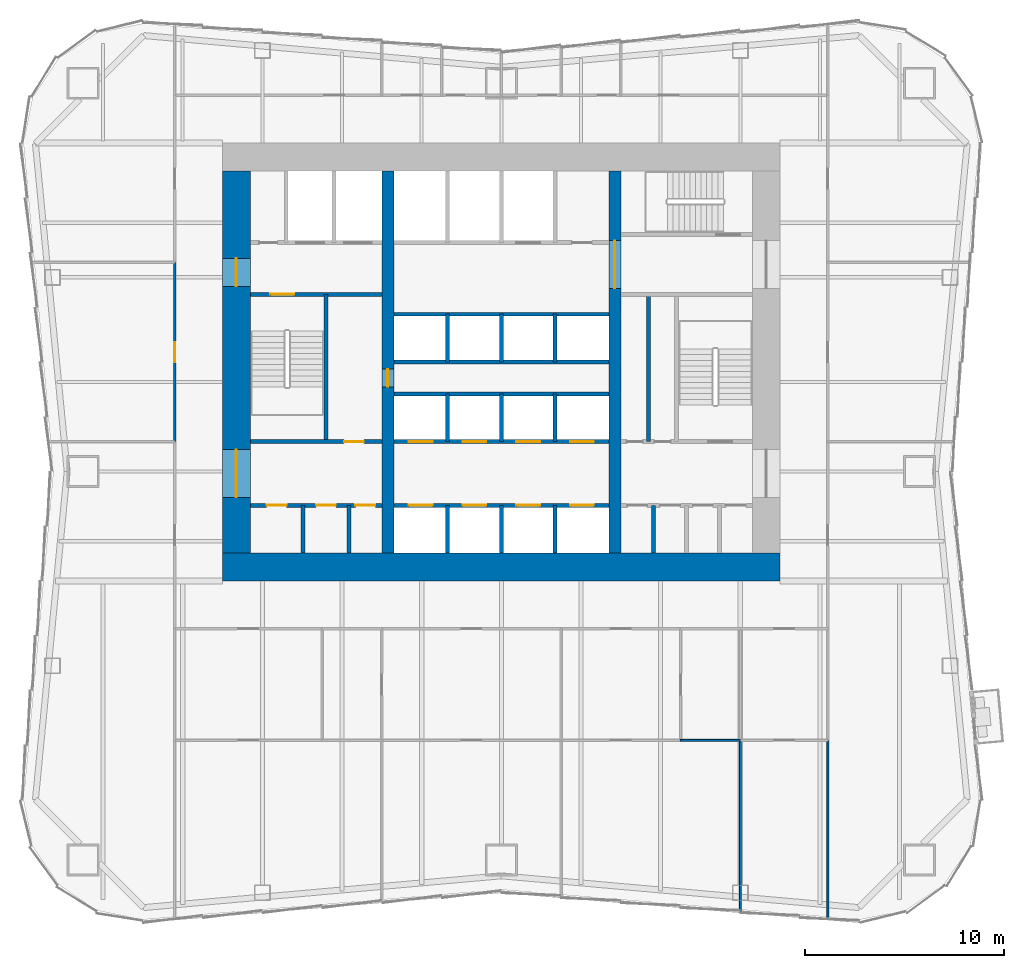
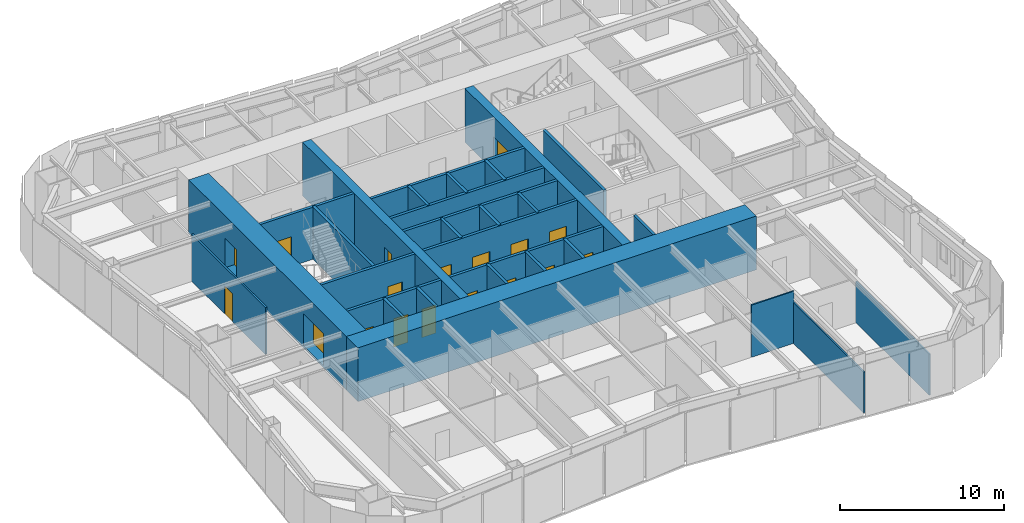
# One storey, part 4 of 8: 30 walls, 18 doors, 18 openings.
"""IFC4 building model written with IfcOpenShell, lengths in metres."""

from ifc_helpers import new_model, si_unit, direction, frame, frame_2d, origin, place, context, subcontext, project, spatial, rectangle, extrude, material, layer, layer_set, type_object, element, fill, save


model = new_model("IFC4")

# Units and contexts
model_context = context("Model", 3, precision=1e-05, world=origin(), true_north=direction((0.0, 1.0)))
body_context = subcontext(model_context, "Body", "Model", "MODEL_VIEW")
ifc_project = project(units=[si_unit("LENGTHUNIT", "METRE"), si_unit("AREAUNIT", "SQUARE_METRE"), si_unit("VOLUMEUNIT", "CUBIC_METRE"), si_unit("PLANEANGLEUNIT", "RADIAN"), si_unit("MASSUNIT", "GRAM", prefix="KILO")], contexts=[model_context])

# Site, building, storey
site_placement = place(None, origin())
site = spatial("IfcSite", under=ifc_project, at=site_placement, CompositionType="ELEMENT")
building_placement = place(site_placement, origin())
building = spatial("IfcBuilding", under=site, at=building_placement, Name="Verdant Reach Tower", CompositionType="ELEMENT")
storey_placement = place(building_placement, frame((0.0, 0.0, 42.0)))
storey = spatial("IfcBuildingStorey", under=building, at=storey_placement, Name="L09", CompositionType="ELEMENT", Elevation=42.0)

# Wall, openings, doors
ifc_material_1 = material(Name="Gypsum board on steel studs", Category="steel")
ifc_layer_1 = layer(ifc_material_1, 0.199951171875)
ifc_layer_set_1 = layer_set([ifc_layer_1], Name="CO-WALL-ROOM")
wall_type_1 = type_object("IfcWallType", Name="CO-WALL-ROOM", PredefinedType="PARTITIONING", material=ifc_layer_set_1)
wall_1_placement = place(storey_placement, frame((-12.60009765625, 20.800048828125, 0.0), z_axis=(0.0, 0.0, 1.0), x_axis=(1.0, 0.0, 0.0)))
wall_1 = element("IfcWall", 1, at=wall_1_placement, inside=storey, type_object=wall_type_1, Name="Core partition, L09", PredefinedType="PARTITIONING", context=body_context, shape_type="SweptSolid", body=[
    extrude(rectangle(XDim=6.60009765625, YDim=0.199951171875, at=frame_2d((3.300048828125, 0.0))), origin(), (0.0, 0.0, 1.0), 3.8701171875),
])
opening_1_placement = place(wall_1_placement, frame((0.820068359375, 0.0, 0.0)))
opening_1 = element("IfcOpeningElement", 2, at=opening_1_placement, cuts=wall_1, Name="Opening CD", PredefinedType="OPENING", context=body_context, shape_type="SweptSolid", body=[
    extrude(rectangle(XDim=1.0, YDim=2.10009765625, at=frame_2d((0.5, 1.050048828125))), frame((0.0, 0.10986328125, 0.0), z_axis=(0.0, -1.0, 0.0), x_axis=(1.0, 0.0, 0.0)), (0.0, 0.0, 1.0), 0.219970703125),
])
opening_2_placement = place(wall_1_placement, frame((3.294921875, 0.0, 0.0)))
opening_2 = element("IfcOpeningElement", 3, at=opening_2_placement, cuts=wall_1, Name="Opening CD", PredefinedType="OPENING", context=body_context, shape_type="SweptSolid", body=[
    extrude(rectangle(XDim=1.0, YDim=2.10009765625, at=frame_2d((0.5, 1.050048828125))), frame((0.0, 0.10986328125, 0.0), z_axis=(0.0, -1.0, 0.0), x_axis=(1.0, 0.0, 0.0)), (0.0, 0.0, 1.0), 0.219970703125),
])
opening_3_placement = place(wall_1_placement, frame((5.27490234375, 0.0, 0.0)))
opening_3 = element("IfcOpeningElement", 4, at=opening_3_placement, cuts=wall_1, Name="Opening CD", PredefinedType="OPENING", context=body_context, shape_type="SweptSolid", body=[
    extrude(rectangle(XDim=1.0, YDim=2.10009765625, at=frame_2d((0.5, 1.050048828125))), frame((0.0, 0.10986328125, 0.0), z_axis=(0.0, -1.0, 0.0), x_axis=(1.0, 0.0, 0.0)), (0.0, 0.0, 1.0), 0.219970703125),
])
ifc_material_2 = material(Name="Timber", Category="wood")
door_type_1 = type_object("IfcDoorType", Name="CO-DOOR-ROOM", OperationType="NOTDEFINED", PredefinedType="DOOR", material=ifc_material_2)
door_1_placement = place(opening_1_placement, origin())
door_1 = element("IfcDoor", 5, at=door_1_placement, inside=storey, type_object=door_type_1, Name="Core room door, L09", OperationType="SINGLE_SWING_LEFT", OverallHeight=2.10009765625, OverallWidth=1.0, PredefinedType="DOOR", context=body_context, shape_type="SweptSolid", body=[
    extrude(rectangle(XDim=1.0, YDim=2.10009765625, at=frame_2d((0.5, 1.050048828125))), frame((0.0, 0.02490234375, 0.0), z_axis=(0.0, -1.0, 0.0), x_axis=(1.0, 0.0, 0.0)), (0.0, 0.0, 1.0), 0.050048828125),
])
fill(opening_1, door_1)
door_2_placement = place(opening_2_placement, origin())
door_2 = element("IfcDoor", 6, at=door_2_placement, inside=storey, type_object=door_type_1, Name="Core room door, L09", OperationType="SINGLE_SWING_LEFT", OverallHeight=2.10009765625, OverallWidth=1.0, PredefinedType="DOOR", context=body_context, shape_type="SweptSolid", body=[
    extrude(rectangle(XDim=1.0, YDim=2.10009765625, at=frame_2d((0.5, 1.050048828125))), frame((0.0, 0.02490234375, 0.0), z_axis=(0.0, -1.0, 0.0), x_axis=(1.0, 0.0, 0.0)), (0.0, 0.0, 1.0), 0.050048828125),
])
fill(opening_2, door_2)
door_3_placement = place(opening_3_placement, origin())
door_3 = element("IfcDoor", 7, at=door_3_placement, inside=storey, type_object=door_type_1, Name="Core room door, L09", OperationType="SINGLE_SWING_RIGHT", OverallHeight=2.10009765625, OverallWidth=1.0, PredefinedType="DOOR", context=body_context, shape_type="SweptSolid", body=[
    extrude(rectangle(XDim=1.0, YDim=2.10009765625, at=frame_2d((0.5, 1.050048828125))), frame((0.0, 0.02490234375, 0.0), z_axis=(0.0, -1.0, 0.0), x_axis=(1.0, 0.0, 0.0)), (0.0, 0.0, 1.0), 0.050048828125),
])
fill(opening_3, door_3)

# Walls
for number, where, z_axis, x_axis, name in (
    (8, (-9.9599609375, 18.39990234375, 0.0), (0.0, 0.0, 1.0), (0.0, 1.0, 0.0), "Core partition, L09"),
    (9, (-7.64990234375, 18.39990234375, 0.0), (0.0, 0.0, 1.0), (0.0, 1.0, 0.0), "Core partition, L09"),
):
    element("IfcWall", number, at=place(storey_placement, frame(where, z_axis=z_axis, x_axis=x_axis)), inside=storey, type_object=wall_type_1, Name=name, PredefinedType="PARTITIONING", context=body_context, shape_type="SweptSolid", body=[
        extrude(rectangle(XDim=2.400146484375, YDim=0.199951171875, at=frame_2d((1.2001953125, 0.0))), origin(), (0.0, 0.0, 1.0), 3.8701171875),
    ])
wall_2_placement = place(storey_placement, frame((7.39990234375, 24.0, 0.0), z_axis=(0.0, 0.0, 1.0), x_axis=(0.0, 1.0, 0.0)))
element("IfcWall", 10, at=wall_2_placement, inside=storey, type_object=wall_type_1, Name="Core partition, L09", PredefinedType="PARTITIONING", context=body_context, shape_type="SweptSolid", body=[
    extrude(rectangle(XDim=7.39990234375, YDim=0.199951171875, at=frame_2d((3.699951171875, 0.0))), origin(), (0.0, 0.0, 1.0), 3.8701171875),
])
wall_3_placement = place(storey_placement, frame((7.64990234375, 18.39990234375, 0.0), z_axis=(0.0, 0.0, 1.0), x_axis=(0.0, 1.0, 0.0)))
element("IfcWall", 11, at=wall_3_placement, inside=storey, type_object=wall_type_1, Name="Core partition, L09", PredefinedType="PARTITIONING", context=body_context, shape_type="SweptSolid", body=[
    extrude(rectangle(XDim=2.400146484375, YDim=0.199951171875, at=frame_2d((1.2001953125, 0.0))), origin(), (0.0, 0.0, 1.0), 3.8701171875),
])

# Wall, openings, doors
ifc_material_3 = material(Name="Concrete C40/50", Category="concrete")
ifc_layer_2 = layer(ifc_material_3, 0.199951171875)
ifc_layer_set_2 = layer_set([ifc_layer_2], Name="CO-WALL-SHAFT")
wall_type_2 = type_object("IfcWallType", Name="CO-WALL-SHAFT", PredefinedType="PARTITIONING", material=ifc_layer_set_2)
wall_4_placement = place(storey_placement, frame((-5.39990234375, 20.800048828125, 0.0), z_axis=(0.0, 0.0, 1.0), x_axis=(1.0, 0.0, 0.0)))
wall_4 = element("IfcWall", 12, at=wall_4_placement, inside=storey, type_object=wall_type_2, Name="Lift shaft wall, L09", PredefinedType="PARTITIONING", context=body_context, shape_type="SweptSolid", body=[
    extrude(rectangle(XDim=10.7998046875, YDim=0.199951171875, at=frame_2d((5.39990234375, 0.0))), origin(), (0.0, 0.0, 1.0), 3.8701171875),
])
opening_4_placement = place(wall_4_placement, frame((0.75, 0.0, 0.0)))
opening_4 = element("IfcOpeningElement", 13, at=opening_4_placement, cuts=wall_4, Name="Opening LD-A1", PredefinedType="OPENING", context=body_context, shape_type="SweptSolid", body=[
    extrude(rectangle(XDim=1.199951171875, YDim=2.199951171875, at=frame_2d((0.60009765625, 1.10009765625))), frame((0.0, 0.10986328125, 0.0), z_axis=(0.0, -1.0, 0.0), x_axis=(1.0, 0.0, 0.0)), (0.0, 0.0, 1.0), 0.219970703125),
])
opening_5_placement = place(wall_4_placement, frame((3.449951171875, 0.0, 0.0)))
opening_5 = element("IfcOpeningElement", 14, at=opening_5_placement, cuts=wall_4, Name="Opening LD-A2", PredefinedType="OPENING", context=body_context, shape_type="SweptSolid", body=[
    extrude(rectangle(XDim=1.199951171875, YDim=2.199951171875, at=frame_2d((0.60009765625, 1.10009765625))), frame((0.0, 0.10986328125, 0.0), z_axis=(0.0, -1.0, 0.0), x_axis=(1.0, 0.0, 0.0)), (0.0, 0.0, 1.0), 0.219970703125),
])
opening_6_placement = place(wall_4_placement, frame((6.14990234375, 0.0, 0.0)))
opening_6 = element("IfcOpeningElement", 15, at=opening_6_placement, cuts=wall_4, Name="Opening LD-A3", PredefinedType="OPENING", context=body_context, shape_type="SweptSolid", body=[
    extrude(rectangle(XDim=1.199951171875, YDim=2.199951171875, at=frame_2d((0.60009765625, 1.10009765625))), frame((0.0, 0.10986328125, 0.0), z_axis=(0.0, -1.0, 0.0), x_axis=(1.0, 0.0, 0.0)), (0.0, 0.0, 1.0), 0.219970703125),
])
opening_7_placement = place(wall_4_placement, frame((8.85009765625, 0.0, 0.0)))
opening_7 = element("IfcOpeningElement", 16, at=opening_7_placement, cuts=wall_4, Name="Opening LD-A4", PredefinedType="OPENING", context=body_context, shape_type="SweptSolid", body=[
    extrude(rectangle(XDim=1.199951171875, YDim=2.199951171875, at=frame_2d((0.60009765625, 1.10009765625))), frame((0.0, 0.10986328125, 0.0), z_axis=(0.0, -1.0, 0.0), x_axis=(1.0, 0.0, 0.0)), (0.0, 0.0, 1.0), 0.219970703125),
])
ifc_material_4 = material(Name="Stainless steel", Category="steel")
door_type_2 = type_object("IfcDoorType", Name="CO-DOOR-LANDING", OperationType="SLIDING_TO_LEFT", PredefinedType="DOOR", material=ifc_material_4)
door_4_placement = place(opening_4_placement, origin())
door_4 = element("IfcDoor", 17, at=door_4_placement, inside=storey, type_object=door_type_2, Name="Landing door A1, L09", OperationType="SLIDING_TO_LEFT", OverallHeight=2.199951171875, OverallWidth=1.199951171875, PredefinedType="DOOR", context=body_context, shape_type="SweptSolid", body=[
    extrude(rectangle(XDim=1.199951171875, YDim=2.199951171875, at=frame_2d((0.60009765625, 1.10009765625))), frame((0.0, 0.02490234375, 0.0), z_axis=(0.0, -1.0, 0.0), x_axis=(1.0, 0.0, 0.0)), (0.0, 0.0, 1.0), 0.050048828125),
])
fill(opening_4, door_4)
door_5_placement = place(opening_5_placement, origin())
door_5 = element("IfcDoor", 18, at=door_5_placement, inside=storey, type_object=door_type_2, Name="Landing door A2, L09", OperationType="SLIDING_TO_LEFT", OverallHeight=2.199951171875, OverallWidth=1.199951171875, PredefinedType="DOOR", context=body_context, shape_type="SweptSolid", body=[
    extrude(rectangle(XDim=1.199951171875, YDim=2.199951171875, at=frame_2d((0.60009765625, 1.10009765625))), frame((0.0, 0.02490234375, 0.0), z_axis=(0.0, -1.0, 0.0), x_axis=(1.0, 0.0, 0.0)), (0.0, 0.0, 1.0), 0.050048828125),
])
fill(opening_5, door_5)
door_6_placement = place(opening_6_placement, origin())
door_6 = element("IfcDoor", 19, at=door_6_placement, inside=storey, type_object=door_type_2, Name="Landing door A3, L09", OperationType="SLIDING_TO_LEFT", OverallHeight=2.199951171875, OverallWidth=1.199951171875, PredefinedType="DOOR", context=body_context, shape_type="SweptSolid", body=[
    extrude(rectangle(XDim=1.199951171875, YDim=2.199951171875, at=frame_2d((0.60009765625, 1.10009765625))), frame((0.0, 0.02490234375, 0.0), z_axis=(0.0, -1.0, 0.0), x_axis=(1.0, 0.0, 0.0)), (0.0, 0.0, 1.0), 0.050048828125),
])
fill(opening_6, door_6)
door_7_placement = place(opening_7_placement, origin())
door_7 = element("IfcDoor", 20, at=door_7_placement, inside=storey, type_object=door_type_2, Name="Landing door A4, L09", OperationType="SLIDING_TO_LEFT", OverallHeight=2.199951171875, OverallWidth=1.199951171875, PredefinedType="DOOR", context=body_context, shape_type="SweptSolid", body=[
    extrude(rectangle(XDim=1.199951171875, YDim=2.199951171875, at=frame_2d((0.60009765625, 1.10009765625))), frame((0.0, 0.02490234375, 0.0), z_axis=(0.0, -1.0, 0.0), x_axis=(1.0, 0.0, 0.0)), (0.0, 0.0, 1.0), 0.050048828125),
])
fill(opening_7, door_7)

wall_5_placement = place(storey_placement, frame((-5.39990234375, 24.0, 0.0), z_axis=(0.0, 0.0, 1.0), x_axis=(1.0, 0.0, 0.0)))
wall_5 = element("IfcWall", 21, at=wall_5_placement, inside=storey, type_object=wall_type_2, Name="Lift shaft wall, L09", PredefinedType="PARTITIONING", context=body_context, shape_type="SweptSolid", body=[
    extrude(rectangle(XDim=10.7998046875, YDim=0.199951171875, at=frame_2d((5.39990234375, 0.0))), origin(), (0.0, 0.0, 1.0), 3.8701171875),
])
opening_8_placement = place(wall_5_placement, frame((0.75, 0.0, 0.0)))
opening_8 = element("IfcOpeningElement", 22, at=opening_8_placement, cuts=wall_5, Name="Opening LD-A5", PredefinedType="OPENING", context=body_context, shape_type="SweptSolid", body=[
    extrude(rectangle(XDim=1.199951171875, YDim=2.199951171875, at=frame_2d((0.60009765625, 1.10009765625))), frame((0.0, 0.10986328125, 0.0), z_axis=(0.0, -1.0, 0.0), x_axis=(1.0, 0.0, 0.0)), (0.0, 0.0, 1.0), 0.219970703125),
])
opening_9_placement = place(wall_5_placement, frame((3.449951171875, 0.0, 0.0)))
opening_9 = element("IfcOpeningElement", 23, at=opening_9_placement, cuts=wall_5, Name="Opening LD-A6", PredefinedType="OPENING", context=body_context, shape_type="SweptSolid", body=[
    extrude(rectangle(XDim=1.199951171875, YDim=2.199951171875, at=frame_2d((0.60009765625, 1.10009765625))), frame((0.0, 0.10986328125, 0.0), z_axis=(0.0, -1.0, 0.0), x_axis=(1.0, 0.0, 0.0)), (0.0, 0.0, 1.0), 0.219970703125),
])
opening_10_placement = place(wall_5_placement, frame((6.14990234375, 0.0, 0.0)))
opening_10 = element("IfcOpeningElement", 24, at=opening_10_placement, cuts=wall_5, Name="Opening LD-A7", PredefinedType="OPENING", context=body_context, shape_type="SweptSolid", body=[
    extrude(rectangle(XDim=1.199951171875, YDim=2.199951171875, at=frame_2d((0.60009765625, 1.10009765625))), frame((0.0, 0.10986328125, 0.0), z_axis=(0.0, -1.0, 0.0), x_axis=(1.0, 0.0, 0.0)), (0.0, 0.0, 1.0), 0.219970703125),
])
opening_11_placement = place(wall_5_placement, frame((8.85009765625, 0.0, 0.0)))
opening_11 = element("IfcOpeningElement", 25, at=opening_11_placement, cuts=wall_5, Name="Opening LD-A8", PredefinedType="OPENING", context=body_context, shape_type="SweptSolid", body=[
    extrude(rectangle(XDim=1.199951171875, YDim=2.199951171875, at=frame_2d((0.60009765625, 1.10009765625))), frame((0.0, 0.10986328125, 0.0), z_axis=(0.0, -1.0, 0.0), x_axis=(1.0, 0.0, 0.0)), (0.0, 0.0, 1.0), 0.219970703125),
])
door_8_placement = place(opening_8_placement, origin())
door_8 = element("IfcDoor", 26, at=door_8_placement, inside=storey, type_object=door_type_2, Name="Landing door A5, L09", OperationType="SLIDING_TO_LEFT", OverallHeight=2.199951171875, OverallWidth=1.199951171875, PredefinedType="DOOR", context=body_context, shape_type="SweptSolid", body=[
    extrude(rectangle(XDim=1.199951171875, YDim=2.199951171875, at=frame_2d((0.60009765625, 1.10009765625))), frame((0.0, 0.02490234375, 0.0), z_axis=(0.0, -1.0, 0.0), x_axis=(1.0, 0.0, 0.0)), (0.0, 0.0, 1.0), 0.050048828125),
])
fill(opening_8, door_8)
door_9_placement = place(opening_9_placement, origin())
door_9 = element("IfcDoor", 27, at=door_9_placement, inside=storey, type_object=door_type_2, Name="Landing door A6, L09", OperationType="SLIDING_TO_LEFT", OverallHeight=2.199951171875, OverallWidth=1.199951171875, PredefinedType="DOOR", context=body_context, shape_type="SweptSolid", body=[
    extrude(rectangle(XDim=1.199951171875, YDim=2.199951171875, at=frame_2d((0.60009765625, 1.10009765625))), frame((0.0, 0.02490234375, 0.0), z_axis=(0.0, -1.0, 0.0), x_axis=(1.0, 0.0, 0.0)), (0.0, 0.0, 1.0), 0.050048828125),
])
fill(opening_9, door_9)
door_10_placement = place(opening_10_placement, origin())
door_10 = element("IfcDoor", 28, at=door_10_placement, inside=storey, type_object=door_type_2, Name="Landing door A7, L09", OperationType="SLIDING_TO_LEFT", OverallHeight=2.199951171875, OverallWidth=1.199951171875, PredefinedType="DOOR", context=body_context, shape_type="SweptSolid", body=[
    extrude(rectangle(XDim=1.199951171875, YDim=2.199951171875, at=frame_2d((0.60009765625, 1.10009765625))), frame((0.0, 0.02490234375, 0.0), z_axis=(0.0, -1.0, 0.0), x_axis=(1.0, 0.0, 0.0)), (0.0, 0.0, 1.0), 0.050048828125),
])
fill(opening_10, door_10)
door_11_placement = place(opening_11_placement, origin())
door_11 = element("IfcDoor", 29, at=door_11_placement, inside=storey, type_object=door_type_2, Name="Landing door A8, L09", OperationType="SLIDING_TO_LEFT", OverallHeight=2.199951171875, OverallWidth=1.199951171875, PredefinedType="DOOR", context=body_context, shape_type="SweptSolid", body=[
    extrude(rectangle(XDim=1.199951171875, YDim=2.199951171875, at=frame_2d((0.60009765625, 1.10009765625))), frame((0.0, 0.02490234375, 0.0), z_axis=(0.0, -1.0, 0.0), x_axis=(1.0, 0.0, 0.0)), (0.0, 0.0, 1.0), 0.050048828125),
])
fill(opening_11, door_11)

# Walls
for number, where, z_axis, x_axis, name in (
    (30, (-5.39990234375, 26.39990234375, 0.0), (0.0, 0.0, 1.0), (1.0, 0.0, 0.0), "Lift shaft wall, L09"),
    (31, (-5.39990234375, 28.0, 0.0), (0.0, 0.0, 1.0), (1.0, 0.0, 0.0), "Lift shaft wall, L09"),
    (32, (-5.39990234375, 30.39990234375, 0.0), (0.0, 0.0, 1.0), (1.0, 0.0, 0.0), "Lift shaft wall, L09"),
):
    element("IfcWall", number, at=place(storey_placement, frame(where, z_axis=z_axis, x_axis=x_axis)), inside=storey, type_object=wall_type_2, Name=name, PredefinedType="PARTITIONING", context=body_context, shape_type="SweptSolid", body=[
        extrude(rectangle(XDim=10.7998046875, YDim=0.199951171875, at=frame_2d((5.39990234375, 0.0))), origin(), (0.0, 0.0, 1.0), 3.8701171875),
    ])
wall_6_placement = place(storey_placement, frame((-2.699951171875, 18.39990234375, 0.0), z_axis=(0.0, 0.0, 1.0), x_axis=(0.0, 1.0, 0.0)))
element("IfcWall", 33, at=wall_6_placement, inside=storey, type_object=wall_type_2, Name="Lift shaft wall, L09", PredefinedType="PARTITIONING", context=body_context, shape_type="SweptSolid", body=[
    extrude(rectangle(XDim=2.400146484375, YDim=0.199951171875, at=frame_2d((1.2001953125, 0.0))), origin(), (0.0, 0.0, 1.0), 3.8701171875),
])
for number, where, z_axis, x_axis, name in (
    (34, (-2.699951171875, 24.0, 0.0), (0.0, 0.0, 1.0), (0.0, 1.0, 0.0), "Lift shaft wall, L09"),
    (35, (-2.699951171875, 28.0, 0.0), (0.0, 0.0, 1.0), (0.0, 1.0, 0.0), "Lift shaft wall, L09"),
):
    element("IfcWall", number, at=place(storey_placement, frame(where, z_axis=z_axis, x_axis=x_axis)), inside=storey, type_object=wall_type_2, Name=name, PredefinedType="PARTITIONING", context=body_context, shape_type="SweptSolid", body=[
        extrude(rectangle(XDim=2.39990234375, YDim=0.199951171875, at=frame_2d((1.199951171875, 0.0))), origin(), (0.0, 0.0, 1.0), 3.8701171875),
    ])
wall_7_placement = place(storey_placement, frame((0.0, 18.39990234375, 0.0), z_axis=(0.0, 0.0, 1.0), x_axis=(0.0, 1.0, 0.0)))
element("IfcWall", 36, at=wall_7_placement, inside=storey, type_object=wall_type_2, Name="Lift shaft wall, L09", PredefinedType="PARTITIONING", context=body_context, shape_type="SweptSolid", body=[
    extrude(rectangle(XDim=2.400146484375, YDim=0.199951171875, at=frame_2d((1.2001953125, 0.0))), origin(), (0.0, 0.0, 1.0), 3.8701171875),
])
for number, where, z_axis, x_axis, name in (
    (37, (0.0, 24.0, 0.0), (0.0, 0.0, 1.0), (0.0, 1.0, 0.0), "Lift shaft wall, L09"),
    (38, (0.0, 28.0, 0.0), (0.0, 0.0, 1.0), (0.0, 1.0, 0.0), "Lift shaft wall, L09"),
):
    element("IfcWall", number, at=place(storey_placement, frame(where, z_axis=z_axis, x_axis=x_axis)), inside=storey, type_object=wall_type_2, Name=name, PredefinedType="PARTITIONING", context=body_context, shape_type="SweptSolid", body=[
        extrude(rectangle(XDim=2.39990234375, YDim=0.199951171875, at=frame_2d((1.199951171875, 0.0))), origin(), (0.0, 0.0, 1.0), 3.8701171875),
    ])
wall_8_placement = place(storey_placement, frame((2.699951171875, 18.39990234375, 0.0), z_axis=(0.0, 0.0, 1.0), x_axis=(0.0, 1.0, 0.0)))
element("IfcWall", 39, at=wall_8_placement, inside=storey, type_object=wall_type_2, Name="Lift shaft wall, L09", PredefinedType="PARTITIONING", context=body_context, shape_type="SweptSolid", body=[
    extrude(rectangle(XDim=2.400146484375, YDim=0.199951171875, at=frame_2d((1.2001953125, 0.0))), origin(), (0.0, 0.0, 1.0), 3.8701171875),
])
for number, where, z_axis, x_axis, name in (
    (40, (2.699951171875, 24.0, 0.0), (0.0, 0.0, 1.0), (0.0, 1.0, 0.0), "Lift shaft wall, L09"),
    (41, (2.699951171875, 28.0, 0.0), (0.0, 0.0, 1.0), (0.0, 1.0, 0.0), "Lift shaft wall, L09"),
):
    element("IfcWall", number, at=place(storey_placement, frame(where, z_axis=z_axis, x_axis=x_axis)), inside=storey, type_object=wall_type_2, Name=name, PredefinedType="PARTITIONING", context=body_context, shape_type="SweptSolid", body=[
        extrude(rectangle(XDim=2.39990234375, YDim=0.199951171875, at=frame_2d((1.199951171875, 0.0))), origin(), (0.0, 0.0, 1.0), 3.8701171875),
    ])

# Wall, opening, door
ifc_layer_3 = layer(ifc_material_3, 0.199951171875)
ifc_layer_set_3 = layer_set([ifc_layer_3], Name="CO-WALL-STAIR")
wall_type_3 = type_object("IfcWallType", Name="CO-WALL-STAIR", PredefinedType="PARTITIONING", material=ifc_layer_set_3)
wall_9_placement = place(storey_placement, frame((-12.60009765625, 24.0, 0.0), z_axis=(0.0, 0.0, 1.0), x_axis=(1.0, 0.0, 0.0)))
wall_9 = element("IfcWall", 42, at=wall_9_placement, inside=storey, type_object=wall_type_3, Name="Stair enclosure wall, L09", PredefinedType="PARTITIONING", context=body_context, shape_type="SweptSolid", body=[
    extrude(rectangle(XDim=6.60009765625, YDim=0.199951171875, at=frame_2d((3.300048828125, 0.0))), origin(), (0.0, 0.0, 1.0), 3.8701171875),
])
opening_12_placement = place(wall_9_placement, frame((4.699951171875, 0.0, 0.0)))
opening_12 = element("IfcOpeningElement", 43, at=opening_12_placement, cuts=wall_9, Name="Opening CD", PredefinedType="OPENING", context=body_context, shape_type="SweptSolid", body=[
    extrude(rectangle(XDim=1.0, YDim=2.10009765625, at=frame_2d((0.5, 1.050048828125))), frame((0.0, 0.10986328125, 0.0), z_axis=(0.0, -1.0, 0.0), x_axis=(1.0, 0.0, 0.0)), (0.0, 0.0, 1.0), 0.219970703125),
])
door_12_placement = place(opening_12_placement, origin())
door_12 = element("IfcDoor", 44, at=door_12_placement, inside=storey, type_object=door_type_1, Name="Core room door, L09", OperationType="SINGLE_SWING_LEFT", OverallHeight=2.10009765625, OverallWidth=1.0, PredefinedType="DOOR", context=body_context, shape_type="SweptSolid", body=[
    extrude(rectangle(XDim=1.0, YDim=2.10009765625, at=frame_2d((0.5, 1.050048828125))), frame((0.0, 0.02490234375, 0.0), z_axis=(0.0, -1.0, 0.0), x_axis=(1.0, 0.0, 0.0)), (0.0, 0.0, 1.0), 0.050048828125),
])
fill(opening_12, door_12)

wall_10_placement = place(storey_placement, frame((-12.60009765625, 31.39990234375, 0.0), z_axis=(0.0, 0.0, 1.0), x_axis=(1.0, 0.0, 0.0)))
wall_10 = element("IfcWall", 45, at=wall_10_placement, inside=storey, type_object=wall_type_3, Name="Stair enclosure wall, L09", PredefinedType="PARTITIONING", context=body_context, shape_type="SweptSolid", body=[
    extrude(rectangle(XDim=6.60009765625, YDim=0.199951171875, at=frame_2d((3.300048828125, 0.0))), origin(), (0.0, 0.0, 1.0), 3.8701171875),
])
opening_13_placement = place(wall_10_placement, frame((1.0, 0.0, 0.0)))
opening_13 = element("IfcOpeningElement", 46, at=opening_13_placement, cuts=wall_10, Name="Opening SD", PredefinedType="OPENING", context=body_context, shape_type="SweptSolid", body=[
    extrude(rectangle(XDim=1.199951171875, YDim=2.199951171875, at=frame_2d((0.60009765625, 1.10009765625))), frame((0.0, 0.10986328125, 0.0), z_axis=(0.0, -1.0, 0.0), x_axis=(1.0, 0.0, 0.0)), (0.0, 0.0, 1.0), 0.219970703125),
])
ifc_material_5 = material(Name="Steel", Category="steel")
door_type_3 = type_object("IfcDoorType", Name="CO-DOOR-STAIR", OperationType="NOTDEFINED", PredefinedType="DOOR", material=ifc_material_5)
door_13_placement = place(opening_13_placement, origin())
door_13 = element("IfcDoor", 47, at=door_13_placement, inside=storey, type_object=door_type_3, Name="Stair door, L09", OperationType="SINGLE_SWING_RIGHT", OverallHeight=2.199951171875, OverallWidth=1.199951171875, PredefinedType="DOOR", context=body_context, shape_type="SweptSolid", body=[
    extrude(rectangle(XDim=1.199951171875, YDim=2.199951171875, at=frame_2d((0.60009765625, 1.10009765625))), frame((0.0, 0.02490234375, 0.0), z_axis=(0.0, -1.0, 0.0), x_axis=(1.0, 0.0, 0.0)), (0.0, 0.0, 1.0), 0.050048828125),
])
fill(opening_13, door_13)

# Walls
wall_11_placement = place(storey_placement, frame((-8.800048828125, 24.0, 0.0), z_axis=(0.0, 0.0, 1.0), x_axis=(0.0, 1.0, 0.0)))
element("IfcWall", 48, at=wall_11_placement, inside=storey, type_object=wall_type_3, Name="Stair enclosure wall, L09", PredefinedType="PARTITIONING", context=body_context, shape_type="SweptSolid", body=[
    extrude(rectangle(XDim=7.39990234375, YDim=0.199951171875, at=frame_2d((3.699951171875, 0.0))), origin(), (0.0, 0.0, 1.0), 3.8701171875),
])
ifc_layer_4 = layer(ifc_material_1, 0.10009765625)
ifc_layer_set_4 = layer_set([ifc_layer_4], Name="FL-W1 Partition 100")
wall_type_4 = type_object("IfcWallType", Name="FL-W1 Partition 100", PredefinedType="PARTITIONING", material=ifc_layer_set_4)
wall_12_placement = place(storey_placement, frame((8.99609375, 9.0, 0.0), z_axis=(0.0, 0.0, 1.0), x_axis=(1.0, 0.0, 0.0)))
element("IfcWall", 49, at=wall_12_placement, inside=storey, type_object=wall_type_4, Name="Partition 09.32", PredefinedType="PARTITIONING", context=body_context, shape_type="SweptSolid", body=[
    extrude(rectangle(XDim=3.00390625, YDim=0.10009765625, at=frame_2d((1.501953125, 0.0))), origin(), (0.0, 0.0, 1.0), 3.8701171875),
])
wall_13_placement = place(storey_placement, frame((12.0, 0.419921875, 0.0), z_axis=(0.0, 0.0, 1.0), x_axis=(0.0, 1.0, 0.0)))
element("IfcWall", 50, at=wall_13_placement, inside=storey, type_object=wall_type_4, Name="Partition 09.35", PredefinedType="PARTITIONING", context=body_context, shape_type="SweptSolid", body=[
    extrude(rectangle(XDim=8.580078125, YDim=0.10009765625, at=frame_2d((4.2900390625, 0.0))), origin(), (0.0, 0.0, 1.0), 3.0400390625),
])
wall_14_placement = place(storey_placement, frame((16.39990234375, 0.05322265625, 0.0), z_axis=(0.0, 0.0, 1.0), x_axis=(0.0, 1.0, 0.0)))
element("IfcWall", 51, at=wall_14_placement, inside=storey, type_object=wall_type_4, Name="Partition 09.36", PredefinedType="PARTITIONING", context=body_context, shape_type="SweptSolid", body=[
    extrude(rectangle(XDim=8.95068359375, YDim=0.10009765625, at=frame_2d((4.475341796875, 0.0))), origin(), (0.0, 0.0, 1.0), 3.0400390625),
])

# Wall, opening, door
ifc_material_6 = material(Name="Gypsum board on steel studs, fire rated", Category="steel")
ifc_layer_5 = layer(ifc_material_6, 0.125)
ifc_layer_set_5 = layer_set([ifc_layer_5], Name="FL-W2 Corridor wall 125")
wall_type_5 = type_object("IfcWallType", Name="FL-W2 Corridor wall 125", PredefinedType="PARTITIONING", material=ifc_layer_set_5)
wall_15_placement = place(storey_placement, frame((-16.39990234375, 24.0, 0.0), z_axis=(0.0, 0.0, 1.0), x_axis=(0.0, 1.0, 0.0)))
wall_15 = element("IfcWall", 52, at=wall_15_placement, inside=storey, type_object=wall_type_5, Name="Partition 09.14", PredefinedType="PARTITIONING", context=body_context, shape_type="SweptSolid", body=[
    extrude(rectangle(XDim=9.0, YDim=0.125, at=frame_2d((4.5, 0.0))), origin(), (0.0, 0.0, 1.0), 3.47998046875),
])
opening_14_placement = place(wall_15_placement, frame((4.0, 0.0, 0.0)))
opening_14 = element("IfcOpeningElement", 53, at=opening_14_placement, cuts=wall_15, Name="Opening D2", PredefinedType="OPENING", context=body_context, shape_type="SweptSolid", body=[
    extrude(rectangle(XDim=1.0, YDim=2.10009765625, at=frame_2d((0.5, 1.050048828125))), frame((0.0, 0.072509765625, 0.0), z_axis=(0.0, -1.0, 0.0), x_axis=(1.0, 0.0, 0.0)), (0.0, 0.0, 1.0), 0.14501953125),
])
ifc_material_7 = material(Name="Timber door leaf, fire rated", Category="wood")
door_type_4 = type_object("IfcDoorType", Name="FL-D2 Entrance door 1000x2100 FD30", OperationType="NOTDEFINED", PredefinedType="DOOR", material=ifc_material_7)
door_14_placement = place(opening_14_placement, origin())
door_14 = element("IfcDoor", 54, at=door_14_placement, inside=storey, type_object=door_type_4, Name="Door 09-012", OperationType="SINGLE_SWING_RIGHT", OverallHeight=2.10009765625, OverallWidth=1.0, PredefinedType="DOOR", context=body_context, shape_type="SweptSolid", body=[
    extrude(rectangle(XDim=1.0, YDim=2.10009765625, at=frame_2d((0.5, 1.050048828125))), frame((0.0, 0.02490234375, 0.0), z_axis=(0.0, -1.0, 0.0), x_axis=(1.0, 0.0, 0.0)), (0.0, 0.0, 1.0), 0.050048828125),
])
fill(opening_14, door_14)

# Wall
ifc_material_8 = material(Name="Concrete C70/85", Category="concrete")
ifc_layer_6 = layer(ifc_material_8, 1.39990234375)
ifc_layer_set_6 = layer_set([ifc_layer_6], Name="ST-CORE-WALL-1400")
wall_type_6 = type_object("IfcWallType", Name="ST-CORE-WALL-1400", PredefinedType="SHEAR", material=ifc_layer_set_6)
wall_16_placement = place(storey_placement, frame((-14.0, 17.699951171875, -0.1298828125), z_axis=(0.0, 0.0, 1.0), x_axis=(1.0, 0.0, 0.0)))
element("IfcWall", 55, at=wall_16_placement, inside=storey, type_object=wall_type_6, Name="Core wall S, L09", PredefinedType="SHEAR", context=body_context, shape_type="SweptSolid", body=[
    extrude(rectangle(XDim=28.0, YDim=1.39990234375, at=frame_2d((14.0, 0.0))), origin(), (0.0, 0.0, 1.0), 4.0),
])

# Wall, openings, doors
wall_17_placement = place(storey_placement, frame((-13.300048828125, 18.39990234375, -0.1298828125), z_axis=(0.0, 0.0, 1.0), x_axis=(0.0, 1.0, 0.0)))
wall_17 = element("IfcWall", 56, at=wall_17_placement, inside=storey, type_object=wall_type_6, Name="Core wall W, L09", PredefinedType="SHEAR", context=body_context, shape_type="SweptSolid", body=[
    extrude(rectangle(XDim=19.2001953125, YDim=1.39990234375, at=frame_2d((9.60009765625, 0.0))), origin(), (0.0, 0.0, 1.0), 4.0),
])
opening_15_placement = place(wall_17_placement, frame((2.800048828125, 0.0, 0.1298828125)))
opening_15 = element("IfcOpeningElement", 57, at=opening_15_placement, cuts=wall_17, Name="Opening LB", PredefinedType="OPENING", context=body_context, shape_type="SweptSolid", body=[
    extrude(rectangle(XDim=2.39990234375, YDim=2.39990234375, at=frame_2d((1.199951171875, 1.199951171875))), frame((0.0, 0.7099609375, 0.0), z_axis=(0.0, -1.0, 0.0), x_axis=(1.0, 0.0, 0.0)), (0.0, 0.0, 1.0), 1.419921875),
])
opening_16_placement = place(wall_17_placement, frame((13.39990234375, 0.0, 0.1298828125)))
opening_16 = element("IfcOpeningElement", 58, at=opening_16_placement, cuts=wall_17, Name="Opening FL", PredefinedType="OPENING", context=body_context, shape_type="SweptSolid", body=[
    extrude(rectangle(XDim=1.39990234375, YDim=2.199951171875, at=frame_2d((0.699951171875, 1.10009765625))), frame((0.0, 0.7099609375, 0.0), z_axis=(0.0, -1.0, 0.0), x_axis=(1.0, 0.0, 0.0)), (0.0, 0.0, 1.0), 1.419921875),
])
door_type_5 = type_object("IfcDoorType", Name="CO-DOOR-FFL", OperationType="NOTDEFINED", PredefinedType="DOOR", material=ifc_material_5)
door_15_placement = place(opening_16_placement, origin())
door_15 = element("IfcDoor", 59, at=door_15_placement, inside=storey, type_object=door_type_5, Name="Core entrance door, L09", OperationType="SINGLE_SWING_RIGHT", OverallHeight=2.199951171875, OverallWidth=1.39990234375, PredefinedType="DOOR", context=body_context, shape_type="SweptSolid", body=[
    extrude(rectangle(XDim=1.39990234375, YDim=2.199951171875, at=frame_2d((0.699951171875, 1.10009765625))), frame((0.0, 0.02490234375, 0.0), z_axis=(0.0, -1.0, 0.0), x_axis=(1.0, 0.0, 0.0)), (0.0, 0.0, 1.0), 0.050048828125),
])
fill(opening_16, door_15)
ifc_material_9 = material(Name="Glass and steel", Category="steel")
door_type_6 = type_object("IfcDoorType", Name="CO-DOOR-LOBBY", OperationType="DOUBLE_DOOR_SINGLE_SWING", PredefinedType="DOOR", material=ifc_material_9)
door_16_placement = place(opening_15_placement, origin())
door_16 = element("IfcDoor", 60, at=door_16_placement, inside=storey, type_object=door_type_6, Name="Core entrance door, L09", OperationType="DOUBLE_DOOR_SINGLE_SWING", OverallHeight=2.39990234375, OverallWidth=2.39990234375, PredefinedType="DOOR", context=body_context, shape_type="SweptSolid", body=[
    extrude(rectangle(XDim=2.39990234375, YDim=2.39990234375, at=frame_2d((1.199951171875, 1.199951171875))), frame((0.0, 0.02490234375, 0.0), z_axis=(0.0, -1.0, 0.0), x_axis=(1.0, 0.0, 0.0)), (0.0, 0.0, 1.0), 0.050048828125),
])
fill(opening_15, door_16)

# Wall, opening, door
ifc_layer_7 = layer(ifc_material_8, 0.60009765625)
ifc_layer_set_7 = layer_set([ifc_layer_7], Name="ST-CORE-WALL-600")
wall_type_7 = type_object("IfcWallType", Name="ST-CORE-WALL-600", PredefinedType="SHEAR", material=ifc_layer_set_7)
wall_18_placement = place(storey_placement, frame((-5.699951171875, 18.39990234375, -0.1298828125), z_axis=(0.0, 0.0, 1.0), x_axis=(0.0, 1.0, 0.0)))
wall_18 = element("IfcWall", 61, at=wall_18_placement, inside=storey, type_object=wall_type_7, Name="Core wall XW, L09", PredefinedType="SHEAR", context=body_context, shape_type="SweptSolid", body=[
    extrude(rectangle(XDim=19.2001953125, YDim=0.60009765625, at=frame_2d((9.60009765625, 0.0))), origin(), (0.0, 0.0, 1.0), 4.0),
])
opening_17_placement = place(wall_18_placement, frame((8.35009765625, 0.0, 0.1298828125)))
opening_17 = element("IfcOpeningElement", 62, at=opening_17_placement, cuts=wall_18, Name="Opening RD", PredefinedType="OPENING", context=body_context, shape_type="SweptSolid", body=[
    extrude(rectangle(XDim=0.89990234375, YDim=2.10009765625, at=frame_2d((0.449951171875, 1.050048828125))), frame((0.0, 0.31005859375, 0.0), z_axis=(0.0, -1.0, 0.0), x_axis=(1.0, 0.0, 0.0)), (0.0, 0.0, 1.0), 0.6201171875),
])
door_type_7 = type_object("IfcDoorType", Name="CO-DOOR-RISER", OperationType="NOTDEFINED", PredefinedType="DOOR", material=ifc_material_5)
door_17_placement = place(opening_17_placement, origin())
door_17 = element("IfcDoor", 63, at=door_17_placement, inside=storey, type_object=door_type_7, Name="Riser door, L09", OperationType="SINGLE_SWING_RIGHT", OverallHeight=2.10009765625, OverallWidth=0.89990234375, PredefinedType="DOOR", context=body_context, shape_type="SweptSolid", body=[
    extrude(rectangle(XDim=0.89990234375, YDim=2.10009765625, at=frame_2d((0.449951171875, 1.050048828125))), frame((0.0, 0.02490234375, 0.0), z_axis=(0.0, -1.0, 0.0), x_axis=(1.0, 0.0, 0.0)), (0.0, 0.0, 1.0), 0.050048828125),
])
fill(opening_17, door_17)

wall_19_placement = place(storey_placement, frame((5.699951171875, 18.39990234375, -0.1298828125), z_axis=(0.0, 0.0, 1.0), x_axis=(0.0, 1.0, 0.0)))
wall_19 = element("IfcWall", 64, at=wall_19_placement, inside=storey, type_object=wall_type_7, Name="Core wall XE, L09", PredefinedType="SHEAR", context=body_context, shape_type="SweptSolid", body=[
    extrude(rectangle(XDim=19.2001953125, YDim=0.60009765625, at=frame_2d((9.60009765625, 0.0))), origin(), (0.0, 0.0, 1.0), 4.0),
])
opening_18_placement = place(wall_19_placement, frame((13.300048828125, 0.0, 0.1298828125)))
opening_18 = element("IfcOpeningElement", 65, at=opening_18_placement, cuts=wall_19, Name="Opening LB", PredefinedType="OPENING", context=body_context, shape_type="SweptSolid", body=[
    extrude(rectangle(XDim=2.39990234375, YDim=2.39990234375, at=frame_2d((1.199951171875, 1.199951171875))), frame((0.0, 0.31005859375, 0.0), z_axis=(0.0, -1.0, 0.0), x_axis=(1.0, 0.0, 0.0)), (0.0, 0.0, 1.0), 0.6201171875),
])
door_18_placement = place(opening_18_placement, origin())
door_18 = element("IfcDoor", 66, at=door_18_placement, inside=storey, type_object=door_type_6, Name="Core entrance door, L09", OperationType="DOUBLE_DOOR_SINGLE_SWING", OverallHeight=2.39990234375, OverallWidth=2.39990234375, PredefinedType="DOOR", context=body_context, shape_type="SweptSolid", body=[
    extrude(rectangle(XDim=2.39990234375, YDim=2.39990234375, at=frame_2d((1.199951171875, 1.199951171875))), frame((0.0, 0.02490234375, 0.0), z_axis=(0.0, -1.0, 0.0), x_axis=(1.0, 0.0, 0.0)), (0.0, 0.0, 1.0), 0.050048828125),
])
fill(opening_18, door_18)

save(model, "model.ifc")
